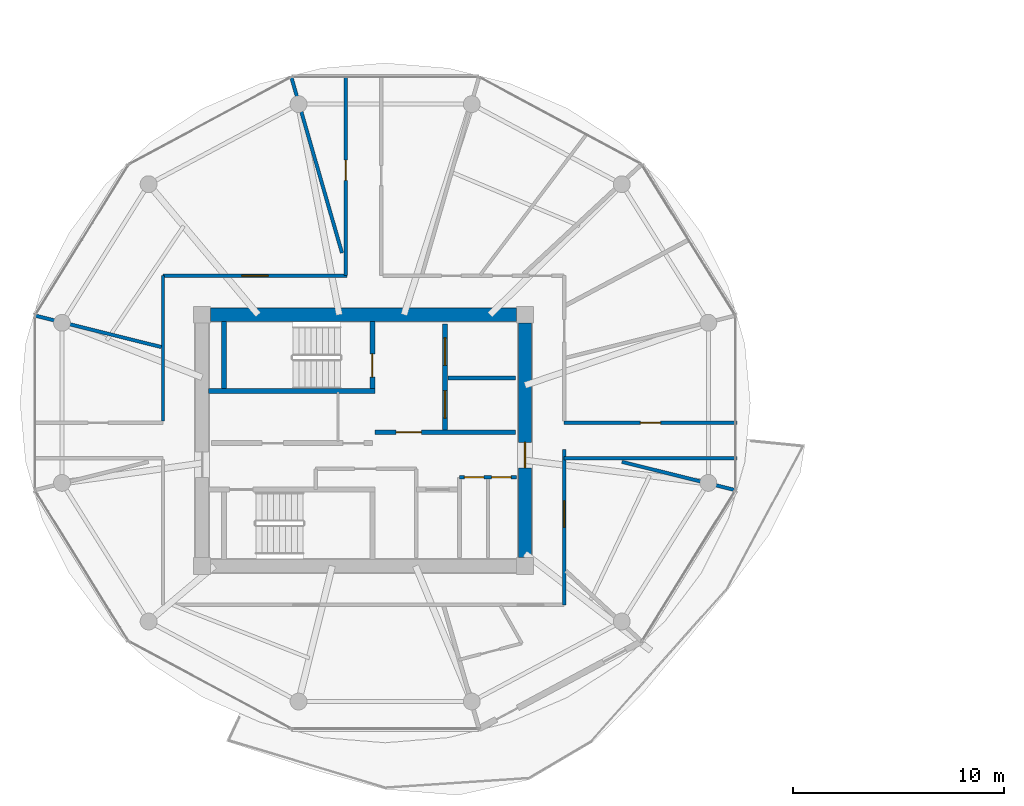
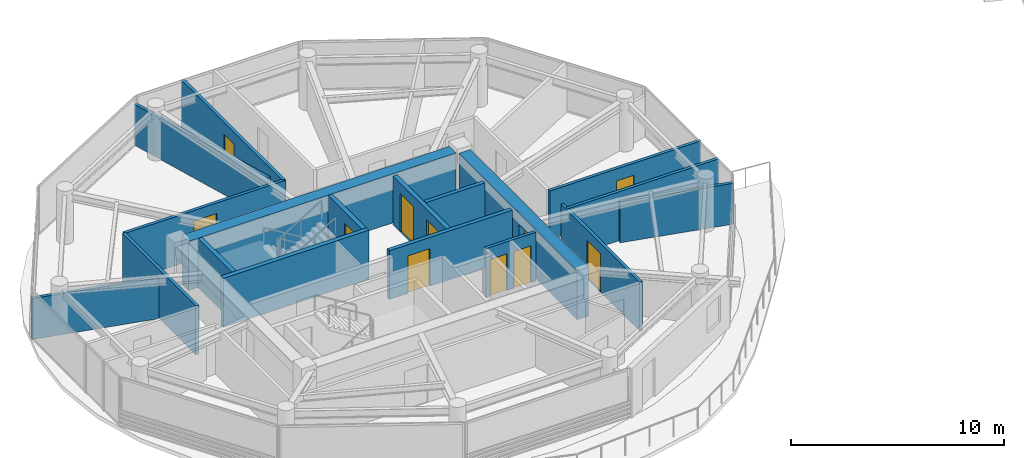
# One storey, part 13 of 22: 18 walls, 11 doors, 11 openings.
"""IFC4 building model written with IfcOpenShell, lengths in metres."""

from ifc_helpers import new_model, si_unit, direction, frame, frame_2d, origin, place, context, subcontext, project, spatial, rectangle, extrude, source, transform, mapped, material, layer, layer_set, type_object, type_shapes, element, fill, save


model = new_model("IFC4")

# Units and contexts
model_context = context("Model", 3, precision=1e-05, world=origin(), true_north=direction((0.0, 1.0)))
body_context = subcontext(model_context, "Body", "Model", "MODEL_VIEW")
ifc_project = project(units=[si_unit("LENGTHUNIT", "METRE"), si_unit("AREAUNIT", "SQUARE_METRE"), si_unit("VOLUMEUNIT", "CUBIC_METRE"), si_unit("PLANEANGLEUNIT", "RADIAN"), si_unit("MASSUNIT", "GRAM", prefix="KILO")], contexts=[model_context])

# Site, building, storey
site_placement = place(None, origin())
site = spatial("IfcSite", under=ifc_project, at=site_placement, CompositionType="ELEMENT")
building_placement = place(site_placement, origin())
building = spatial("IfcBuilding", under=site, at=building_placement, Name="Norrkilde Senior Care Towers", CompositionType="ELEMENT")
storey_placement = place(building_placement, frame((0.0, 0.0, 180.050048828125)))
storey = spatial("IfcBuildingStorey", under=building, at=storey_placement, Name="L56", CompositionType="ELEMENT", Elevation=180.050048828125)

# Wall
ifc_material_1 = material(Name="Concrete C50/60", Category="concrete")
ifc_layer_1 = layer(ifc_material_1, 0.6201171875)
ifc_layer_set_1 = layer_set([ifc_layer_1], Name="Concrete C50/60")
wall_type_1 = type_object("IfcWallType", Name="Core Shear Wall Z3 620", PredefinedType="SHEAR", material=ifc_layer_set_1)
shared_shape_1 = source(origin(), body_context, "Body", "SweptSolid", [
    extrude(rectangle(XDim=14.5, YDim=0.6201171875, at=frame_2d((7.25, 0.0))), origin(), (0.0, 0.0, 1.0), 2.81005859375),
])
wall_1_placement = place(storey_placement, frame((-35.25, 5.949951171875, 0.0), z_axis=(0.0, 0.0, 1.0), x_axis=(1.0, 0.0, 0.0)))
element("IfcWall", 1, at=wall_1_placement, inside=storey, type_object=wall_type_1, Name="L56 Core W North Shear Wall", PredefinedType="SHEAR", context=body_context, shape_type="MappedRepresentation", body=[
    mapped(shared_shape_1, transform((0.0, 0.0, 0.0), x_axis=(1.0, 0.0, 0.0), y_axis=(0.0, 1.0, 0.0), z_axis=(0.0, 0.0, 1.0), scale=1.0)),
])

# Wall, opening, door
shared_shape_2 = source(origin(), body_context, "Body", "SweptSolid", [
    extrude(rectangle(XDim=11.10009765625, YDim=0.6201171875, at=frame_2d((5.550048828125, 0.0))), origin(), (0.0, 0.0, 1.0), 2.81005859375),
])
type_shapes(wall_type_1, [shared_shape_1, shared_shape_2])
wall_2_placement = place(storey_placement, frame((-20.35009765625, 5.550048828125, 0.0), z_axis=(0.0, 0.0, 1.0), x_axis=(0.0, -1.0, 0.0)))
wall_2 = element("IfcWall", 2, at=wall_2_placement, inside=storey, type_object=wall_type_1, Name="L56 Core W East Shear Wall", PredefinedType="SHEAR", context=body_context, shape_type="MappedRepresentation", body=[
    mapped(shared_shape_2, transform((0.0, 0.0, 0.0), x_axis=(1.0, 0.0, 0.0), y_axis=(0.0, 1.0, 0.0), z_axis=(0.0, 0.0, 1.0), scale=1.0)),
])
opening_1_placement = place(wall_2_placement, frame((5.64990234375, 0.0, 0.0)))
opening_1 = element("IfcOpeningElement", 3, at=opening_1_placement, cuts=wall_2, Name="Opening D-04", PredefinedType="OPENING", context=body_context, shape_type="SweptSolid", body=[
    extrude(rectangle(XDim=1.199951171875, YDim=2.14990234375, at=frame_2d((0.60009765625, 1.074951171875))), frame((0.0, 0.320068359375, 0.0), z_axis=(0.0, -1.0, 0.0), x_axis=(1.0, 0.0, 0.0)), (0.0, 0.0, 1.0), 0.64013671875),
])
ifc_material_2 = material(Name="Galvanised Painted Steel", Category="steel")
door_type_1 = type_object("IfcDoorType", Name="Firefighting Lobby Fire Door 1200x2150", OperationType="NOTDEFINED", PredefinedType="DOOR", material=ifc_material_2)
shared_shape_3 = source(origin(), body_context, "Body", "SweptSolid", [
    extrude(rectangle(XDim=1.199951171875, YDim=2.14990234375, at=frame_2d((0.60009765625, 1.074951171875))), frame((0.0, 0.02490234375, 0.0), z_axis=(0.0, -1.0, 0.0), x_axis=(1.0, 0.0, 0.0)), (0.0, 0.0, 1.0), 0.050048828125),
])
type_shapes(door_type_1, [shared_shape_3])
door_1_placement = place(opening_1_placement, frame((1.199951171875, 0.0, 0.0), z_axis=(0.0, 0.0, 1.0), x_axis=(-1.0, 0.0, 0.0)))
door_1 = element("IfcDoor", 4, at=door_1_placement, inside=storey, type_object=door_type_1, Name="L56 Core W East Portal Door", OperationType="SINGLE_SWING_RIGHT", OverallHeight=2.14990234375, OverallWidth=1.199951171875, PredefinedType="DOOR", context=body_context, shape_type="MappedRepresentation", body=[
    mapped(shared_shape_3, transform((0.0, 0.0, 0.0), x_axis=(1.0, 0.0, 0.0), y_axis=(0.0, 1.0, 0.0), z_axis=(0.0, 0.0, 1.0), scale=1.0)),
])
fill(opening_1, door_1)

# Walls
ifc_material_3 = material(Name="Concrete C45/55", Category="concrete")
ifc_layer_2 = layer(ifc_material_3, 0.239990234375)
ifc_layer_set_2 = layer_set([ifc_layer_2], Name="Concrete C45/55")
wall_type_2 = type_object("IfcWallType", Name="Shaft and Stair Enclosure Wall 240", PredefinedType="PARTITIONING", material=ifc_layer_set_2)
shared_shape_4 = source(origin(), body_context, "Body", "SweptSolid", [
    extrude(rectangle(XDim=7.880126953125, YDim=0.239990234375, at=frame_2d((3.93994140625, 0.0))), origin(), (0.0, 0.0, 1.0), 2.81005859375),
])
wall_3_placement = place(storey_placement, frame((-35.340087890625, 2.330078125, 0.0), z_axis=(0.0, 0.0, 1.0), x_axis=(1.0, 0.0, 0.0)))
element("IfcWall", 5, at=wall_3_placement, inside=storey, type_object=wall_type_2, Name="WL-INT-L56-W-ST1S", PredefinedType="PARTITIONING", context=body_context, shape_type="MappedRepresentation", body=[
    mapped(shared_shape_4, transform((0.0, 0.0, 0.0), x_axis=(1.0, 0.0, 0.0), y_axis=(0.0, 1.0, 0.0), z_axis=(0.0, 0.0, 1.0), scale=1.0)),
])
shared_shape_5 = source(origin(), body_context, "Body", "SweptSolid", [
    extrude(rectangle(XDim=3.18994140625, YDim=0.239990234375, at=frame_2d((1.594970703125, 0.0))), origin(), (0.0, 0.0, 1.0), 2.81005859375),
])
type_shapes(wall_type_2, [shared_shape_4, shared_shape_5])
wall_4_placement = place(storey_placement, frame((-34.6201171875, 2.449951171875, 0.0), z_axis=(0.0, 0.0, 1.0), x_axis=(0.0, 1.0, 0.0)))
element("IfcWall", 6, at=wall_4_placement, inside=storey, type_object=wall_type_2, Name="WL-INT-L56-W-ST1W", PredefinedType="PARTITIONING", context=body_context, shape_type="MappedRepresentation", body=[
    mapped(shared_shape_5, transform((0.0, 0.0, 0.0), x_axis=(1.0, 0.0, 0.0), y_axis=(0.0, 1.0, 0.0), z_axis=(0.0, 0.0, 1.0), scale=1.0)),
])

# Wall, opening, door
wall_5_placement = place(storey_placement, frame((-27.580078125, 2.449951171875, 0.0), z_axis=(0.0, 0.0, 1.0), x_axis=(0.0, 1.0, 0.0)))
wall_5 = element("IfcWall", 7, at=wall_5_placement, inside=storey, type_object=wall_type_2, Name="WL-INT-L56-W-ST1E", PredefinedType="PARTITIONING", context=body_context, shape_type="MappedRepresentation", body=[
    mapped(shared_shape_5, transform((0.0, 0.0, 0.0), x_axis=(1.0, 0.0, 0.0), y_axis=(0.0, 1.0, 0.0), z_axis=(0.0, 0.0, 1.0), scale=1.0)),
])
opening_2_placement = place(wall_5_placement, frame((0.550048828125, 0.0, 0.0)))
opening_2 = element("IfcOpeningElement", 8, at=opening_2_placement, cuts=wall_5, Name="Opening D-03", PredefinedType="OPENING", context=body_context, shape_type="SweptSolid", body=[
    extrude(rectangle(XDim=1.10009765625, YDim=2.14990234375, at=frame_2d((0.550048828125, 1.074951171875))), frame((0.0, 0.1298828125, 0.0), z_axis=(0.0, -1.0, 0.0), x_axis=(1.0, 0.0, 0.0)), (0.0, 0.0, 1.0), 0.260009765625),
])
door_type_2 = type_object("IfcDoorType", Name="Stairwell Protected Fire Door 1100x2150", OperationType="NOTDEFINED", PredefinedType="DOOR", material=ifc_material_2)
shared_shape_6 = source(origin(), body_context, "Body", "SweptSolid", [
    extrude(rectangle(XDim=1.10009765625, YDim=2.14990234375, at=frame_2d((0.550048828125, 1.074951171875))), frame((0.0, 0.02490234375, 0.0), z_axis=(0.0, -1.0, 0.0), x_axis=(1.0, 0.0, 0.0)), (0.0, 0.0, 1.0), 0.050048828125),
])
type_shapes(door_type_2, [shared_shape_6])
door_2_placement = place(opening_2_placement, origin())
door_2 = element("IfcDoor", 9, at=door_2_placement, inside=storey, type_object=door_type_2, Name="L56 Stair W1 Fire Door", OperationType="SINGLE_SWING_LEFT", OverallHeight=2.14990234375, OverallWidth=1.10009765625, PredefinedType="DOOR", context=body_context, shape_type="MappedRepresentation", body=[
    mapped(shared_shape_6, transform((0.0, 0.0, 0.0), x_axis=(1.0, 0.0, 0.0), y_axis=(0.0, 1.0, 0.0), z_axis=(0.0, 0.0, 1.0), scale=1.0)),
])
fill(opening_2, door_2)

# Wall, openings, doors
ifc_layer_3 = layer(ifc_material_3, 0.239990234375)
ifc_layer_set_3 = layer_set([ifc_layer_3], Name="Concrete C45/55")
wall_type_3 = type_object("IfcWallType", Name="Lift and Plant Rated Enclosure Partition 240", PredefinedType="PARTITIONING", material=ifc_layer_set_3)
shared_shape_7 = source(origin(), body_context, "Body", "SweptSolid", [
    extrude(rectangle(XDim=5.0, YDim=0.239990234375, at=frame_2d((2.5, 0.0))), origin(), (0.0, 0.0, 1.0), 2.794921875),
])
type_shapes(wall_type_3, [shared_shape_7])
wall_6_placement = place(storey_placement, frame((-24.139892578125, 0.5, 0.0), z_axis=(0.0, 0.0, 1.0), x_axis=(0.0, 1.0, 0.0)))
wall_6 = element("IfcWall", 10, at=wall_6_placement, inside=storey, type_object=wall_type_3, Name="WL-INT-L56-W-FFLE", PredefinedType="PARTITIONING", context=body_context, shape_type="MappedRepresentation", body=[
    mapped(shared_shape_7, transform((0.0, 0.0, 0.0), x_axis=(1.0, 0.0, 0.0), y_axis=(0.0, 1.0, 0.0), z_axis=(0.0, 0.0, 1.0), scale=1.0)),
])
opening_3_placement = place(wall_6_placement, frame((3.050048828125, 0.0, 0.0)))
opening_3 = element("IfcOpeningElement", 11, at=opening_3_placement, cuts=wall_6, Name="Opening LD-02", PredefinedType="OPENING", context=body_context, shape_type="SweptSolid", body=[
    extrude(rectangle(XDim=1.300048828125, YDim=2.199951171875, at=frame_2d((0.64990234375, 1.10009765625))), frame((0.0, 0.1298828125, 0.0), z_axis=(0.0, -1.0, 0.0), x_axis=(1.0, 0.0, 0.0)), (0.0, 0.0, 1.0), 0.260009765625),
])
opening_4_placement = place(wall_6_placement, frame((0.550048828125, 0.0, 0.0)))
opening_4 = element("IfcOpeningElement", 12, at=opening_4_placement, cuts=wall_6, Name="Opening LD-02", PredefinedType="OPENING", context=body_context, shape_type="SweptSolid", body=[
    extrude(rectangle(XDim=1.300048828125, YDim=2.199951171875, at=frame_2d((0.64990234375, 1.10009765625))), frame((0.0, 0.1298828125, 0.0), z_axis=(0.0, -1.0, 0.0), x_axis=(1.0, 0.0, 0.0)), (0.0, 0.0, 1.0), 0.260009765625),
])
ifc_material_4 = material(Name="Stainless Steel", Category="steel")
door_type_3 = type_object("IfcDoorType", Name="Stretcher and FFL Landing Sliding Door 1300x2200", OperationType="NOTDEFINED", PredefinedType="DOOR", material=ifc_material_4)
shared_shape_8 = source(origin(), body_context, "Body", "SweptSolid", [
    extrude(rectangle(XDim=1.300048828125, YDim=2.199951171875, at=frame_2d((0.64990234375, 1.10009765625))), frame((0.0, 0.02490234375, 0.0), z_axis=(0.0, -1.0, 0.0), x_axis=(1.0, 0.0, 0.0)), (0.0, 0.0, 1.0), 0.050048828125),
])
type_shapes(door_type_3, [shared_shape_8])
door_3_placement = place(opening_3_placement, origin())
door_3 = element("IfcDoor", 13, at=door_3_placement, inside=storey, type_object=door_type_3, Name="L56 Firefighting Lift W1 Landing Door", OperationType="SLIDING_TO_LEFT", OverallHeight=2.199951171875, OverallWidth=1.300048828125, PredefinedType="DOOR", context=body_context, shape_type="MappedRepresentation", body=[
    mapped(shared_shape_8, transform((0.0, 0.0, 0.0), x_axis=(1.0, 0.0, 0.0), y_axis=(0.0, 1.0, 0.0), z_axis=(0.0, 0.0, 1.0), scale=1.0)),
])
fill(opening_3, door_3)
door_4_placement = place(opening_4_placement, origin())
door_4 = element("IfcDoor", 14, at=door_4_placement, inside=storey, type_object=door_type_3, Name="L56 Stretcher Lift W1 Landing Door", OperationType="SLIDING_TO_RIGHT", OverallHeight=2.199951171875, OverallWidth=1.300048828125, PredefinedType="DOOR", context=body_context, shape_type="MappedRepresentation", body=[
    mapped(shared_shape_8, transform((0.0, 0.0, 0.0), x_axis=(1.0, 0.0, 0.0), y_axis=(0.0, 1.0, 0.0), z_axis=(0.0, 0.0, 1.0), scale=1.0)),
])
fill(opening_4, door_4)

# Wall
ifc_layer_4 = layer(ifc_material_3, 0.199951171875)
ifc_layer_set_4 = layer_set([ifc_layer_4], Name="Concrete C45/55")
wall_type_4 = type_object("IfcWallType", Name="Shaft Division and Plant Partition 200", PredefinedType="PARTITIONING", material=ifc_layer_set_4)
shared_shape_9 = source(origin(), body_context, "Body", "SweptSolid", [
    extrude(rectangle(XDim=3.199951171875, YDim=0.199951171875, at=frame_2d((1.60009765625, 0.0))), origin(), (0.0, 0.0, 1.0), 2.794921875),
])
type_shapes(wall_type_4, [shared_shape_9])
wall_7_placement = place(storey_placement, frame((-24.0, 2.949951171875, 0.0), z_axis=(0.0, 0.0, 1.0), x_axis=(1.0, 0.0, 0.0)))
element("IfcWall", 15, at=wall_7_placement, inside=storey, type_object=wall_type_4, Name="WL-INT-L56-W-FFLDIV", PredefinedType="PARTITIONING", context=body_context, shape_type="MappedRepresentation", body=[
    mapped(shared_shape_9, transform((0.0, 0.0, 0.0), x_axis=(1.0, 0.0, 0.0), y_axis=(0.0, 1.0, 0.0), z_axis=(0.0, 0.0, 1.0), scale=1.0)),
])

# Wall, opening, door
ifc_layer_5 = layer(ifc_material_3, 0.2099609375)
ifc_layer_set_5 = layer_set([ifc_layer_5], Name="Concrete C45/55")
wall_type_5 = type_object("IfcWallType", Name="Firefighting Lobby Wall 210", PredefinedType="PARTITIONING", material=ifc_layer_set_5)
shared_shape_10 = source(origin(), body_context, "Body", "SweptSolid", [
    extrude(rectangle(XDim=6.659912109375, YDim=0.2099609375, at=frame_2d((3.330078125, 0.0))), origin(), (0.0, 0.0, 1.0), 2.794921875),
])
type_shapes(wall_type_5, [shared_shape_10])
wall_8_placement = place(storey_placement, frame((-27.4599609375, 0.389892578125, 0.0), z_axis=(0.0, 0.0, 1.0), x_axis=(1.0, 0.0, 0.0)))
wall_8 = element("IfcWall", 16, at=wall_8_placement, inside=storey, type_object=wall_type_5, Name="WL-INT-L56-W-FFLS", PredefinedType="PARTITIONING", context=body_context, shape_type="MappedRepresentation", body=[
    mapped(shared_shape_10, transform((0.0, 0.0, 0.0), x_axis=(1.0, 0.0, 0.0), y_axis=(0.0, 1.0, 0.0), z_axis=(0.0, 0.0, 1.0), scale=1.0)),
])
opening_5_placement = place(wall_8_placement, frame((1.0, 0.0, 0.0)))
opening_5 = element("IfcOpeningElement", 17, at=opening_5_placement, cuts=wall_8, Name="Opening D-04", PredefinedType="OPENING", context=body_context, shape_type="SweptSolid", body=[
    extrude(rectangle(XDim=1.199951171875, YDim=2.14990234375, at=frame_2d((0.60009765625, 1.074951171875))), frame((0.0, 0.114990234375, 0.0), z_axis=(0.0, -1.0, 0.0), x_axis=(1.0, 0.0, 0.0)), (0.0, 0.0, 1.0), 0.22998046875),
])
door_5_placement = place(opening_5_placement, frame((1.199951171875, 0.0, 0.0), z_axis=(0.0, 0.0, 1.0), x_axis=(-1.0, 0.0, 0.0)))
door_5 = element("IfcDoor", 18, at=door_5_placement, inside=storey, type_object=door_type_1, Name="L56 Firefighting Lobby W Door", OperationType="SINGLE_SWING_LEFT", OverallHeight=2.14990234375, OverallWidth=1.199951171875, PredefinedType="DOOR", context=body_context, shape_type="MappedRepresentation", body=[
    mapped(shared_shape_3, transform((0.0, 0.0, 0.0), x_axis=(1.0, 0.0, 0.0), y_axis=(0.0, 1.0, 0.0), z_axis=(0.0, 0.0, 1.0), scale=1.0)),
])
fill(opening_5, door_5)

# Wall, openings, doors
ifc_material_5 = material(Name="Gypsum Acoustic Board")
ifc_layer_6 = layer(ifc_material_5, 0.1650390625)
ifc_layer_set_6 = layer_set([ifc_layer_6], Name="Gypsum Acoustic Board")
wall_type_6 = type_object("IfcWallType", Name="Corridor Rated Partition 165", PredefinedType="PARTITIONING", material=ifc_layer_set_6)
shared_shape_11 = source(origin(), body_context, "Body", "SweptSolid", [
    extrude(rectangle(XDim=2.699951171875, YDim=0.1650390625, at=frame_2d((1.35009765625, 0.0))), origin(), (0.0, 0.0, 1.0), 2.794921875),
])
wall_9_placement = place(storey_placement, frame((-23.449951171875, -1.75, 0.0), z_axis=(0.0, 0.0, 1.0), x_axis=(1.0, 0.0, 0.0)))
wall_9 = element("IfcWall", 19, at=wall_9_placement, inside=storey, type_object=wall_type_6, Name="WL-INT-L56-W-CSN", PredefinedType="PARTITIONING", context=body_context, shape_type="MappedRepresentation", body=[
    mapped(shared_shape_11, transform((0.0, 0.0, 0.0), x_axis=(1.0, 0.0, 0.0), y_axis=(0.0, 1.0, 0.0), z_axis=(0.0, 0.0, 1.0), scale=1.0)),
])
opening_6_placement = place(wall_9_placement, frame((0.222412109375, 0.0, 0.0)))
opening_6 = element("IfcOpeningElement", 20, at=opening_6_placement, cuts=wall_9, Name="Opening D-12", PredefinedType="OPENING", context=body_context, shape_type="SweptSolid", body=[
    extrude(rectangle(XDim=0.925048828125, YDim=2.10009765625, at=frame_2d((0.46240234375, 1.050048828125))), frame((0.0, 0.092529296875, 0.0), z_axis=(0.0, -1.0, 0.0), x_axis=(1.0, 0.0, 0.0)), (0.0, 0.0, 1.0), 0.18505859375),
])
opening_7_placement = place(wall_9_placement, frame((1.5224609375, 0.0, 0.0)))
opening_7 = element("IfcOpeningElement", 21, at=opening_7_placement, cuts=wall_9, Name="Opening D-12", PredefinedType="OPENING", context=body_context, shape_type="SweptSolid", body=[
    extrude(rectangle(XDim=0.925048828125, YDim=2.10009765625, at=frame_2d((0.46240234375, 1.050048828125))), frame((0.0, 0.092529296875, 0.0), z_axis=(0.0, -1.0, 0.0), x_axis=(1.0, 0.0, 0.0)), (0.0, 0.0, 1.0), 0.18505859375),
])
door_type_4 = type_object("IfcDoorType", Name="Core Wet Room Rated Door 925x2100", OperationType="NOTDEFINED", PredefinedType="DOOR", material=ifc_material_2)
shared_shape_12 = source(origin(), body_context, "Body", "SweptSolid", [
    extrude(rectangle(XDim=0.925048828125, YDim=2.10009765625, at=frame_2d((0.46240234375, 1.050048828125))), frame((0.0, 0.02490234375, 0.0), z_axis=(0.0, -1.0, 0.0), x_axis=(1.0, 0.0, 0.0)), (0.0, 0.0, 1.0), 0.050048828125),
])
type_shapes(door_type_4, [shared_shape_12])
door_6_placement = place(opening_6_placement, origin())
door_6 = element("IfcDoor", 22, at=door_6_placement, inside=storey, type_object=door_type_4, Name="L56 Staff Accessible WC W Door", OperationType="SINGLE_SWING_LEFT", OverallHeight=2.10009765625, OverallWidth=0.925048828125, PredefinedType="DOOR", context=body_context, shape_type="MappedRepresentation", body=[
    mapped(shared_shape_12, transform((0.0, 0.0, 0.0), x_axis=(1.0, 0.0, 0.0), y_axis=(0.0, 1.0, 0.0), z_axis=(0.0, 0.0, 1.0), scale=1.0)),
])
fill(opening_6, door_6)
door_7_placement = place(opening_7_placement, origin())
door_7 = element("IfcDoor", 23, at=door_7_placement, inside=storey, type_object=door_type_4, Name="L56 Housekeeping Store W Door", OperationType="SINGLE_SWING_RIGHT", OverallHeight=2.10009765625, OverallWidth=0.925048828125, PredefinedType="DOOR", context=body_context, shape_type="MappedRepresentation", body=[
    mapped(shared_shape_12, transform((0.0, 0.0, 0.0), x_axis=(1.0, 0.0, 0.0), y_axis=(0.0, 1.0, 0.0), z_axis=(0.0, 0.0, 1.0), scale=1.0)),
])
fill(opening_7, door_7)

# Wall, opening, door
shared_shape_13 = source(origin(), body_context, "Body", "SweptSolid", [
    extrude(rectangle(XDim=8.719482421875, YDim=0.1650390625, at=frame_2d((4.35986328125, 0.0))), origin(), (0.0, 0.0, 1.0), 2.794921875),
])
wall_10_placement = place(storey_placement, frame((-37.5, 7.800048828125, 0.0), z_axis=(0.0, 0.0, 1.0), x_axis=(1.0, 0.0, 0.0)))
wall_10 = element("IfcWall", 24, at=wall_10_placement, inside=storey, type_object=wall_type_6, Name="WL-INT-L56-W-CRW-N-0", PredefinedType="PARTITIONING", context=body_context, shape_type="MappedRepresentation", body=[
    mapped(shared_shape_13, transform((0.0, 0.0, 0.0), x_axis=(1.0, 0.0, 0.0), y_axis=(0.0, 1.0, 0.0), z_axis=(0.0, 0.0, 1.0), scale=1.0)),
])
opening_8_placement = place(wall_10_placement, frame((3.73486328125, 0.0, 0.0)))
opening_8 = element("IfcOpeningElement", 25, at=opening_8_placement, cuts=wall_10, Name="Opening D-05", PredefinedType="OPENING", context=body_context, shape_type="SweptSolid", body=[
    extrude(rectangle(XDim=1.25, YDim=2.199951171875, at=frame_2d((0.625, 1.10009765625))), frame((0.0, 0.092529296875, 0.0), z_axis=(0.0, -1.0, 0.0), x_axis=(1.0, 0.0, 0.0)), (0.0, 0.0, 1.0), 0.18505859375),
])
ifc_material_6 = material(Name="Nordic Ash Timber", Category="wood")
door_type_5 = type_object("IfcDoorType", Name="Care Bedroom Bariatric Door 1250x2200", OperationType="NOTDEFINED", PredefinedType="DOOR", material=ifc_material_6)
shared_shape_14 = source(origin(), body_context, "Body", "SweptSolid", [
    extrude(rectangle(XDim=1.25, YDim=2.199951171875, at=frame_2d((0.625, 1.10009765625))), frame((0.0, 0.02490234375, 0.0), z_axis=(0.0, -1.0, 0.0), x_axis=(1.0, 0.0, 0.0)), (0.0, 0.0, 1.0), 0.050048828125),
])
type_shapes(door_type_5, [shared_shape_14])
door_8_placement = place(opening_8_placement, frame((1.25, 0.0, 0.0), z_axis=(0.0, 0.0, 1.0), x_axis=(-1.0, 0.0, 0.0)))
door_8 = element("IfcDoor", 26, at=door_8_placement, inside=storey, type_object=door_type_5, Name="L56 Household Communal Dining Salon Door", OperationType="SINGLE_SWING_RIGHT", OverallHeight=2.199951171875, OverallWidth=1.25, PredefinedType="DOOR", context=body_context, shape_type="MappedRepresentation", body=[
    mapped(shared_shape_14, transform((0.0, 0.0, 0.0), x_axis=(1.0, 0.0, 0.0), y_axis=(0.0, 1.0, 0.0), z_axis=(0.0, 0.0, 1.0), scale=1.0)),
])
fill(opening_8, door_8)

# Walls
shared_shape_15 = source(origin(), body_context, "Body", "SweptSolid", [
    extrude(rectangle(XDim=8.695068359375, YDim=0.1650390625, at=frame_2d((4.34765625, 0.0))), origin(), (0.0, 0.0, 1.0), 2.344970703125),
])
wall_11_placement = place(storey_placement, frame((-29.02001953125, 8.875, 0.0), z_axis=(0.0, 0.0, 1.0), x_axis=(-0.276797231892, 0.960928349263, 0.0)))
element("IfcWall", 27, at=wall_11_placement, inside=storey, type_object=wall_type_6, Name="WL-INT-L56-W-DEM-03-0", PredefinedType="PARTITIONING", context=body_context, shape_type="MappedRepresentation", body=[
    mapped(shared_shape_15, transform((0.0, 0.0, 0.0), x_axis=(1.0, 0.0, 0.0), y_axis=(0.0, 1.0, 0.0), z_axis=(0.0, 0.0, 1.0), scale=1.0)),
])
shared_shape_16 = source(origin(), body_context, "Body", "SweptSolid", [
    extrude(rectangle(XDim=6.192626953125, YDim=0.1650390625, at=frame_2d((3.09619140625, 0.0))), origin(), (0.0, 0.0, 1.0), 2.344970703125),
])
wall_12_placement = place(storey_placement, frame((-37.580078125, 4.418701171875, 0.0), z_axis=(0.0, 0.0, 1.0), x_axis=(-0.970309243466, 0.241867674657, 0.0)))
element("IfcWall", 28, at=wall_12_placement, inside=storey, type_object=wall_type_6, Name="WL-INT-L56-W-DEM-05-0", PredefinedType="PARTITIONING", context=body_context, shape_type="MappedRepresentation", body=[
    mapped(shared_shape_16, transform((0.0, 0.0, 0.0), x_axis=(1.0, 0.0, 0.0), y_axis=(0.0, 1.0, 0.0), z_axis=(0.0, 0.0, 1.0), scale=1.0)),
])
shared_shape_17 = source(origin(), body_context, "Body", "SweptSolid", [
    extrude(rectangle(XDim=5.564453125, YDim=0.1650390625, at=frame_2d((2.7822265625, 0.0))), origin(), (0.0, 0.0, 1.0), 2.344970703125),
])
wall_13_placement = place(storey_placement, frame((-15.76025390625, -1.02001953125, 0.0), z_axis=(0.0, 0.0, 1.0), x_axis=(0.970315176167, -0.241843872984, 0.0)))
element("IfcWall", 29, at=wall_13_placement, inside=storey, type_object=wall_type_6, Name="WL-INT-L56-W-DEM-11-0", PredefinedType="PARTITIONING", context=body_context, shape_type="MappedRepresentation", body=[
    mapped(shared_shape_17, transform((0.0, 0.0, 0.0), x_axis=(1.0, 0.0, 0.0), y_axis=(0.0, 1.0, 0.0), z_axis=(0.0, 0.0, 1.0), scale=1.0)),
])
shared_shape_18 = source(origin(), body_context, "Body", "SweptSolid", [
    extrude(rectangle(XDim=6.880126953125, YDim=0.1650390625, at=frame_2d((3.43994140625, 0.0))), origin(), (0.0, 0.0, 1.0), 2.794921875),
])
wall_14_placement = place(storey_placement, frame((-37.5, 0.919921875, 0.0), z_axis=(0.0, 0.0, 1.0), x_axis=(0.0, 1.0, 0.0)))
element("IfcWall", 30, at=wall_14_placement, inside=storey, type_object=wall_type_6, Name="WL-INT-L56-W-CRW-W-1", PredefinedType="PARTITIONING", context=body_context, shape_type="MappedRepresentation", body=[
    mapped(shared_shape_18, transform((0.0, 0.0, 0.0), x_axis=(1.0, 0.0, 0.0), y_axis=(0.0, 1.0, 0.0), z_axis=(0.0, 0.0, 1.0), scale=1.0)),
])

# Wall, opening, door
shared_shape_19 = source(origin(), body_context, "Body", "SweptSolid", [
    extrude(rectangle(XDim=7.364501953125, YDim=0.1650390625, at=frame_2d((3.68212890625, 0.0))), origin(), (0.0, 0.0, 1.0), 2.794921875),
])
wall_15_placement = place(storey_placement, frame((-18.5, -0.435546875, 0.0), z_axis=(0.0, 0.0, 1.0), x_axis=(0.0, -1.0, 0.0)))
wall_15 = element("IfcWall", 31, at=wall_15_placement, inside=storey, type_object=wall_type_6, Name="WL-INT-L56-W-CRW-E-1", PredefinedType="PARTITIONING", context=body_context, shape_type="MappedRepresentation", body=[
    mapped(shared_shape_19, transform((0.0, 0.0, 0.0), x_axis=(1.0, 0.0, 0.0), y_axis=(0.0, 1.0, 0.0), z_axis=(0.0, 0.0, 1.0), scale=1.0)),
])
opening_9_placement = place(wall_15_placement, frame((2.43310546875, 0.0, 0.0)))
opening_9 = element("IfcOpeningElement", 32, at=opening_9_placement, cuts=wall_15, Name="Opening D-05", PredefinedType="OPENING", context=body_context, shape_type="SweptSolid", body=[
    extrude(rectangle(XDim=1.25, YDim=2.199951171875, at=frame_2d((0.625, 1.10009765625))), frame((0.0, 0.092529296875, 0.0), z_axis=(0.0, -1.0, 0.0), x_axis=(1.0, 0.0, 0.0)), (0.0, 0.0, 1.0), 0.18505859375),
])
door_9_placement = place(opening_9_placement, frame((1.25, 0.0, 0.0), z_axis=(0.0, 0.0, 1.0), x_axis=(-1.0, 0.0, 0.0)))
door_9 = element("IfcDoor", 33, at=door_9_placement, inside=storey, type_object=door_type_5, Name="L56 Household Therapeutic Kitchen Door", OperationType="SINGLE_SWING_LEFT", OverallHeight=2.199951171875, OverallWidth=1.25, PredefinedType="DOOR", context=body_context, shape_type="MappedRepresentation", body=[
    mapped(shared_shape_14, transform((0.0, 0.0, 0.0), x_axis=(1.0, 0.0, 0.0), y_axis=(0.0, 1.0, 0.0), z_axis=(0.0, 0.0, 1.0), scale=1.0)),
])
fill(opening_9, door_9)

shared_shape_20 = source(origin(), body_context, "Body", "SweptSolid", [
    extrude(rectangle(XDim=9.480224609375, YDim=0.1650390625, at=frame_2d((4.740234375, 0.0))), origin(), (0.0, 0.0, 1.0), 2.794921875),
])
wall_16_placement = place(storey_placement, frame((-28.840087890625, 7.800048828125, 0.0), z_axis=(0.0, 0.0, 1.0), x_axis=(0.0, 1.0, 0.0)))
wall_16 = element("IfcWall", 34, at=wall_16_placement, inside=storey, type_object=wall_type_6, Name="WL-INT-L56-W-SPK-N1-0", PredefinedType="PARTITIONING", context=body_context, shape_type="MappedRepresentation", body=[
    mapped(shared_shape_20, transform((0.0, 0.0, 0.0), x_axis=(1.0, 0.0, 0.0), y_axis=(0.0, 1.0, 0.0), z_axis=(0.0, 0.0, 1.0), scale=1.0)),
])
opening_10_placement = place(wall_16_placement, frame((4.5205078125, 0.0, 0.0)))
opening_10 = element("IfcOpeningElement", 35, at=opening_10_placement, cuts=wall_16, Name="Opening D-07", PredefinedType="OPENING", context=body_context, shape_type="SweptSolid", body=[
    extrude(rectangle(XDim=0.949951171875, YDim=2.10009765625, at=frame_2d((0.47509765625, 1.050048828125))), frame((0.0, 0.092529296875, 0.0), z_axis=(0.0, -1.0, 0.0), x_axis=(1.0, 0.0, 0.0)), (0.0, 0.0, 1.0), 0.18505859375),
])
door_type_6 = type_object("IfcDoorType", Name="Internal Suite Bedroom Door 950x2100", OperationType="NOTDEFINED", PredefinedType="DOOR", material=ifc_material_6)
shared_shape_21 = source(origin(), body_context, "Body", "SweptSolid", [
    extrude(rectangle(XDim=0.949951171875, YDim=2.10009765625, at=frame_2d((0.47509765625, 1.050048828125))), frame((0.0, 0.02490234375, 0.0), z_axis=(0.0, -1.0, 0.0), x_axis=(1.0, 0.0, 0.0)), (0.0, 0.0, 1.0), 0.050048828125),
])
type_shapes(door_type_6, [shared_shape_21])
door_10_placement = place(opening_10_placement, frame((0.949951171875, 0.0, 0.0), z_axis=(0.0, 0.0, 1.0), x_axis=(-1.0, 0.0, 0.0)))
door_10 = element("IfcDoor", 36, at=door_10_placement, inside=storey, type_object=door_type_6, Name="L56 Sun Reading Lounge 3 Door", OperationType="SINGLE_SWING_RIGHT", OverallHeight=2.10009765625, OverallWidth=0.949951171875, PredefinedType="DOOR", context=body_context, shape_type="MappedRepresentation", body=[
    mapped(shared_shape_21, transform((0.0, 0.0, 0.0), x_axis=(1.0, 0.0, 0.0), y_axis=(0.0, 1.0, 0.0), z_axis=(0.0, 0.0, 1.0), scale=1.0)),
])
fill(opening_10, door_10)

shared_shape_22 = source(origin(), body_context, "Body", "SweptSolid", [
    extrude(rectangle(XDim=8.18896484375, YDim=0.1650390625, at=frame_2d((4.094482421875, 0.0))), origin(), (0.0, 0.0, 1.0), 2.794921875),
])
type_shapes(wall_type_6, [shared_shape_11, shared_shape_13, shared_shape_15, shared_shape_16, shared_shape_17, shared_shape_18, shared_shape_19, shared_shape_20, shared_shape_22])
wall_17_placement = place(storey_placement, frame((-18.5, 0.840087890625, 0.0), z_axis=(0.0, 0.0, 1.0), x_axis=(1.0, 0.0, 0.0)))
wall_17 = element("IfcWall", 37, at=wall_17_placement, inside=storey, type_object=wall_type_6, Name="WL-INT-L56-W-SPK-E1-0", PredefinedType="PARTITIONING", context=body_context, shape_type="MappedRepresentation", body=[
    mapped(shared_shape_22, transform((0.0, 0.0, 0.0), x_axis=(1.0, 0.0, 0.0), y_axis=(0.0, 1.0, 0.0), z_axis=(0.0, 0.0, 1.0), scale=1.0)),
])
opening_11_placement = place(wall_17_placement, frame((3.619384765625, 0.0, 0.0)))
opening_11 = element("IfcOpeningElement", 38, at=opening_11_placement, cuts=wall_17, Name="Opening D-07", PredefinedType="OPENING", context=body_context, shape_type="SweptSolid", body=[
    extrude(rectangle(XDim=0.949951171875, YDim=2.10009765625, at=frame_2d((0.47509765625, 1.050048828125))), frame((0.0, 0.092529296875, 0.0), z_axis=(0.0, -1.0, 0.0), x_axis=(1.0, 0.0, 0.0)), (0.0, 0.0, 1.0), 0.18505859375),
])
door_11_placement = place(opening_11_placement, frame((0.949951171875, 0.0, 0.0), z_axis=(0.0, 0.0, 1.0), x_axis=(-1.0, 0.0, 0.0)))
door_11 = element("IfcDoor", 39, at=door_11_placement, inside=storey, type_object=door_type_6, Name="L56 Sun Reading Lounge 5 Door", OperationType="SINGLE_SWING_RIGHT", OverallHeight=2.10009765625, OverallWidth=0.949951171875, PredefinedType="DOOR", context=body_context, shape_type="MappedRepresentation", body=[
    mapped(shared_shape_21, transform((0.0, 0.0, 0.0), x_axis=(1.0, 0.0, 0.0), y_axis=(0.0, 1.0, 0.0), z_axis=(0.0, 0.0, 1.0), scale=1.0)),
])
fill(opening_11, door_11)

# Wall
wall_18_placement = place(storey_placement, frame((-10.31103515625, -0.840087890625, 0.0), z_axis=(0.0, 0.0, 1.0), x_axis=(-1.0, 0.0, 0.0)))
element("IfcWall", 40, at=wall_18_placement, inside=storey, type_object=wall_type_6, Name="WL-INT-L56-W-SPK-E2-0", PredefinedType="PARTITIONING", context=body_context, shape_type="MappedRepresentation", body=[
    mapped(shared_shape_22, transform((0.0, 0.0, 0.0), x_axis=(1.0, 0.0, 0.0), y_axis=(0.0, 1.0, 0.0), z_axis=(0.0, 0.0, 1.0), scale=1.0)),
])

save(model, "model.ifc")
